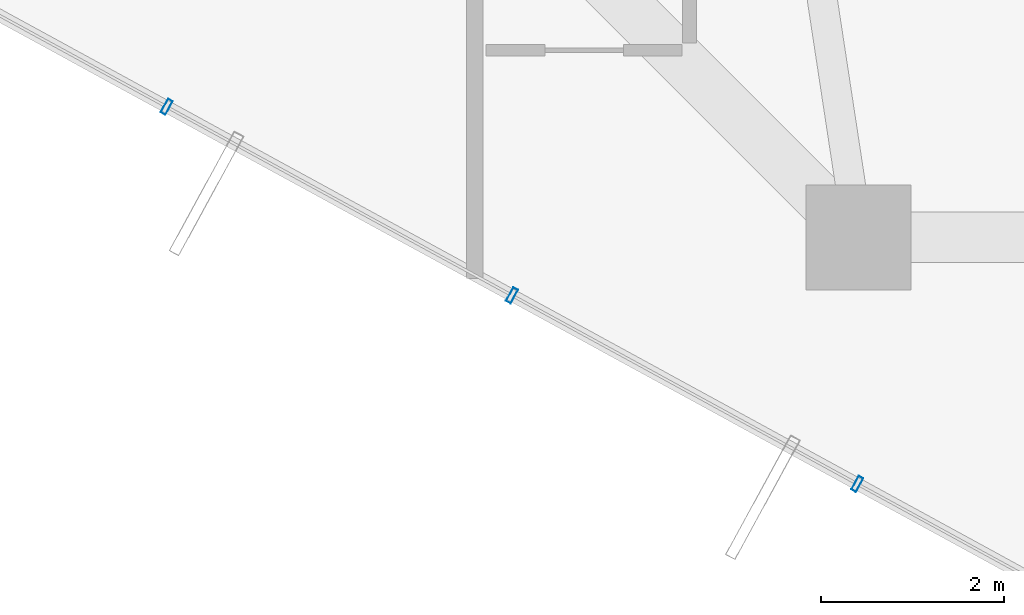
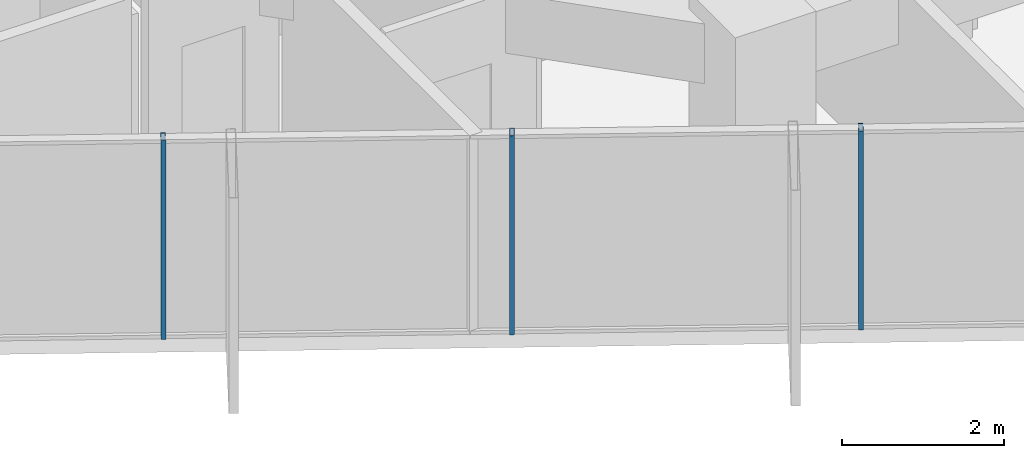
# One storey, part 2 of 31: 3 members, 1 element without a shape of its own.
"""IFC4 building model written with IfcOpenShell, lengths in metres."""

from ifc_helpers import new_model, si_unit, direction, frame, origin, origin_2d, place, context, subcontext, project, spatial, hollow_rectangle, extrude, source, transform, mapped, material, layer, layer_set, material_profile, profile_set, type_object, element, aggregate, save


model = new_model("IFC4")

# Units and contexts
model_context = context("Model", 3, precision=1e-05, world=origin(), true_north=direction((0.0, 1.0)))
body_context = subcontext(model_context, "Body", "Model", "MODEL_VIEW")
ifc_project = project(units=[si_unit("LENGTHUNIT", "METRE"), si_unit("AREAUNIT", "SQUARE_METRE"), si_unit("VOLUMEUNIT", "CUBIC_METRE"), si_unit("PLANEANGLEUNIT", "RADIAN"), si_unit("MASSUNIT", "GRAM", prefix="KILO")], contexts=[model_context])

# Site, building, storey
site_placement = place(None, origin())
site = spatial("IfcSite", under=ifc_project, at=site_placement, CompositionType="ELEMENT")
building_placement = place(site_placement, origin())
building = spatial("IfcBuilding", under=site, at=building_placement, Name="Veraguas Prism Commons", CompositionType="ELEMENT")
storey_placement = place(building_placement, frame((0.0, 0.0, 132.75)))
storey = spatial("IfcBuildingStorey", under=building, at=storey_placement, Name="L37", CompositionType="ELEMENT", Elevation=132.75)

# Curtain wall, members
ifc_material = material(Name="Anodised aluminium EN AW-6063 T6", Category="aluminium")
ifc_layer = layer(ifc_material, 0.169921875, Name="Unitised Flush Curtain Wall Zone 2", Category="aluminium")
ifc_layer_set = layer_set([ifc_layer], Name="Anodised aluminium EN AW-6063 T6")
curtain_wall_type = type_object("IfcCurtainWallType", Name="Unitised Flush Curtain Wall Zone 2", PredefinedType="NOTDEFINED", material=ifc_layer_set)
curtain_wall_placement = place(storey_placement, origin())
curtain_wall = element("IfcCurtainWall", 1, at=curtain_wall_placement, inside=storey, type_object=curtain_wall_type, Name="Tower Facade Curtain Wall L37-F4", PredefinedType="NOTDEFINED")
ifc_material_profile = material_profile(ifc_material, hollow_rectangle(XDim=0.06005859375, YDim=0.169921875, WallThickness=0.00390625, at=origin_2d()), Name="AL60X170X4")
ifc_profile_set = profile_set([ifc_material_profile], Name="Anodised aluminium EN AW-6063 T6")
member_type = type_object("IfcMemberType", Name="Curtain Wall Mullion Lower AL 60x170x4", PredefinedType="MULLION", material=ifc_profile_set)
shared_shape = source(origin(), body_context, "Body", "SweptSolid", [
    extrude(hollow_rectangle(XDim=0.06005859375, YDim=0.169921875, WallThickness=0.00390625, at=origin_2d()), origin(), (0.0, 0.0, 1.0), 3.0),
])
member_1_placement = place(storey_placement, frame((11.0244140625, 9.229736328125, 0.0), z_axis=(0.0, 0.0, 1.0), x_axis=(0.877648571535, -0.479304688984, 0.0)))
member_1 = element("IfcMember", 2, at=member_1_placement, type_object=member_type, Name="CW-Z2 Mullion 2", PredefinedType="MULLION", context=body_context, shape_type="MappedRepresentation", body=[
    mapped(shared_shape, transform((0.0, 0.0, 0.0), scale=1.0)),
])
member_2_placement = place(storey_placement, frame((14.8056640625, 7.16455078125, 0.0), z_axis=(0.0, 0.0, 1.0), x_axis=(0.877648571535, -0.479304688984, 0.0)))
member_2 = element("IfcMember", 3, at=member_2_placement, type_object=member_type, Name="CW-Z2 Mullion 3", PredefinedType="MULLION", context=body_context, shape_type="MappedRepresentation", body=[
    mapped(shared_shape, transform((0.0, 0.0, 0.0), scale=1.0)),
])
member_3_placement = place(storey_placement, frame((18.587158203125, 5.099365234375, 0.0), z_axis=(0.0, 0.0, 1.0), x_axis=(0.877648571535, -0.479304688984, 0.0)))
member_3 = element("IfcMember", 4, at=member_3_placement, type_object=member_type, Name="CW-Z2 Mullion 4", PredefinedType="MULLION", context=body_context, shape_type="MappedRepresentation", body=[
    mapped(shared_shape, transform((0.0, 0.0, 0.0), scale=1.0)),
])
aggregate(curtain_wall, [member_1, member_2, member_3])

save(model, "model.ifc")
